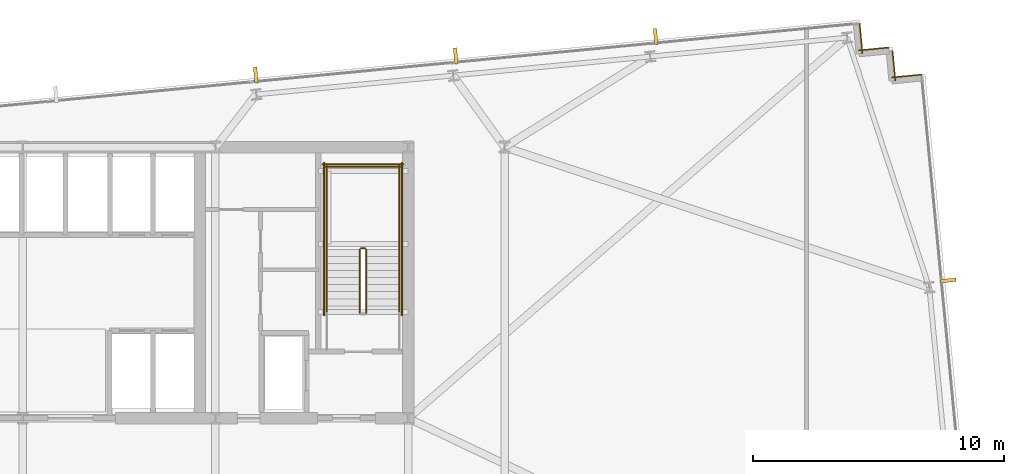
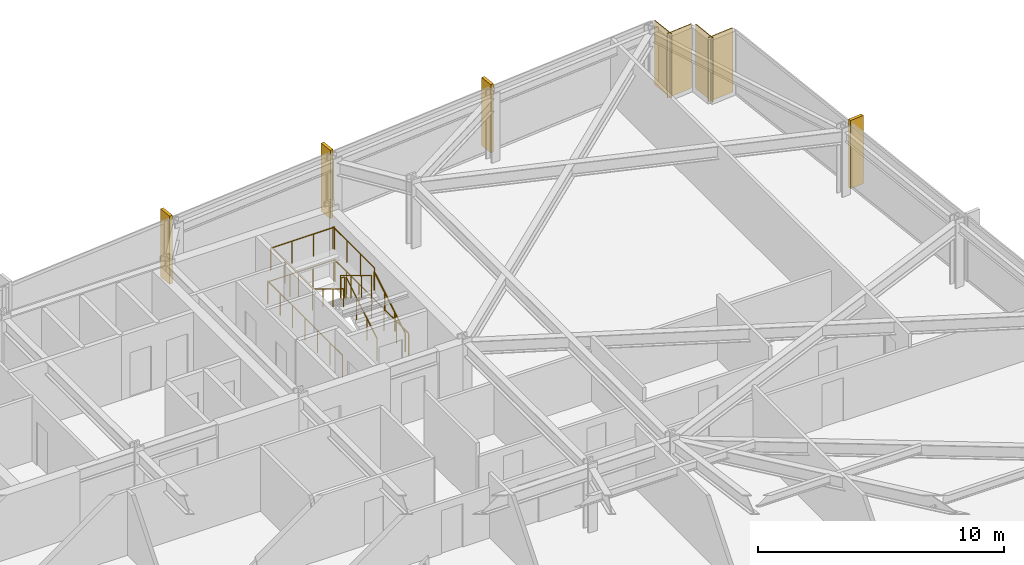
# One storey, part 33 of 33: 11 railings, 4 coverings, 4 shading devices.
"""IFC4 building model written with IfcOpenShell, lengths in metres."""

from ifc_helpers import new_model, si_unit, direction, frame, frame_2d, origin, origin_2d, place, context, subcontext, project, spatial, rectangle, circle, extrude, material, layer, layer_set, type_object, element, save


model = new_model("IFC4")

# Units and contexts
model_context = context("Model", 3, precision=1e-05, world=origin(), true_north=direction((0.0, 1.0)))
body_context = subcontext(model_context, "Body", "Model", "MODEL_VIEW")
ifc_project = project(units=[si_unit("LENGTHUNIT", "METRE"), si_unit("AREAUNIT", "SQUARE_METRE"), si_unit("VOLUMEUNIT", "CUBIC_METRE"), si_unit("PLANEANGLEUNIT", "RADIAN"), si_unit("MASSUNIT", "GRAM", prefix="KILO")], contexts=[model_context])

# Site, building, storey
site_placement = place(None, origin())
site = spatial("IfcSite", under=ifc_project, at=site_placement, CompositionType="ELEMENT")
building_placement = place(site_placement, origin())
building = spatial("IfcBuilding", under=site, at=building_placement, Name="Yelkora Congress Tower", CompositionType="ELEMENT")
storey_placement = place(building_placement, frame((0.0, 0.0, 106.699951171875)))
storey = spatial("IfcBuildingStorey", under=building, at=storey_placement, Name="L28", CompositionType="ELEMENT", Elevation=106.699951171875)

# Coverings
ifc_material_1 = material(Name="Anatolian bush-hammered limestone", Category="masonry")
ifc_layer_1 = layer(ifc_material_1, 0.0400390625)
ifc_layer_set_1 = layer_set([ifc_layer_1], Name="Anatolian bush-hammered limestone")
covering_type = type_object("IfcCoveringType", Name="COV-CLAD-SPANDREL-40", PredefinedType="CLADDING", material=ifc_layer_set_1)
for number, where, z_axis, x_axis, name in (
    (1, (71.74609375, 51.1279296875, 0.0), (0.0, 0.0, 1.0), (0.095817067274, -0.995398960025, 0.0), "L28 Anatolian Limestone Cladding EW-L28-SR11"),
    (2, (71.7138671875, 50.0546875, 0.0), (0.0, 0.0, 1.0), (0.995379537303, 0.096018626938, 0.0), "L28 Anatolian Limestone Cladding EW-L28-SR12"),
):
    element("IfcCovering", number, at=place(storey_placement, frame(where, z_axis=z_axis, x_axis=x_axis)), inside=storey, type_object=covering_type, Name=name, PredefinedType="CLADDING", context=body_context, shape_type="SweptSolid", body=[
        extrude(rectangle(XDim=1.2001953125, YDim=0.0400390625, at=frame_2d((0.60009765625, 0.0))), origin(), (0.0, 0.0, 1.0), 3.179931640625),
    ])
covering_1_placement = place(storey_placement, frame((73.0556640625, 50.04833984375, 0.0), z_axis=(0.0, 0.0, 1.0), x_axis=(0.095836473879, -0.995397091755, 0.0)))
element("IfcCovering", 3, at=covering_1_placement, inside=storey, type_object=covering_type, Name="L28 Anatolian Limestone Cladding EW-L28-SR13", PredefinedType="CLADDING", context=body_context, shape_type="SweptSolid", body=[
    extrude(rectangle(XDim=1.199951171875, YDim=0.0400390625, at=frame_2d((0.60009765625, 0.0))), origin(), (0.0, 0.0, 1.0), 3.179931640625),
])
covering_2_placement = place(storey_placement, frame((73.0234375, 48.975341796875, 0.0), z_axis=(0.0, 0.0, 1.0), x_axis=(0.995398960025, 0.095817067274, 0.0)))
element("IfcCovering", 4, at=covering_2_placement, inside=storey, type_object=covering_type, Name="L28 Anatolian Limestone Cladding EW-L28-SR14", PredefinedType="CLADDING", context=body_context, shape_type="SweptSolid", body=[
    extrude(rectangle(XDim=1.2001953125, YDim=0.0400390625, at=frame_2d((0.60009765625, 0.0))), origin(), (0.0, 0.0, 1.0), 3.179931640625),
])

# Railings
ifc_material_2 = material(Name="Painted galvanised steel stair well guard with vertical infill", Category="steel")
ifc_layer_2 = layer(ifc_material_2, 0.06005859375)
ifc_layer_set_2 = layer_set([ifc_layer_2], Name="Painted galvanised steel stair well guard with vertical infill")
railing_type_1 = type_object("IfcRailingType", Name="RAIL-STAIR-GUARD-1120", PredefinedType="GUARDRAIL", material=ifc_layer_set_2)
railing_1_placement = place(storey_placement, frame((52.090087890625, 39.60009765625, 0.170166015625)))
element("IfcRailing", 5, at=railing_1_placement, inside=storey, type_object=railing_type_1, Name="ST-02 L28 Stair Well Guardrail 1", PredefinedType="GUARDRAIL", context=body_context, shape_type="SweptSolid", body=[
    extrude(circle(Radius=0.02392578125, at=origin_2d()), frame((0.0, 0.0, 1.09619140625), z_axis=(0.0, 0.854821627497, 0.518921945155), x_axis=(-1.0, 0.0, 0.0)), (0.0, 0.0, 1.0), 2.947998046875),
    extrude(circle(Radius=0.02099609375, at=origin_2d()), origin(), (0.0, 0.0, 1.0), 1.072021484375),
    extrude(circle(Radius=0.02099609375, at=origin_2d()), frame((0.0, 0.840087890625, 0.510009765625)), (0.0, 0.0, 1.0), 1.072021484375),
    extrude(circle(Radius=0.02099609375, at=origin_2d()), frame((0.0, 1.679931640625, 1.019775390625)), (0.0, 0.0, 1.0), 1.072021484375),
    extrude(circle(Radius=0.02099609375, at=origin_2d()), frame((0.0, 2.52001953125, 1.52978515625)), (0.0, 0.0, 1.0), 1.072021484375),
])
railing_2_placement = place(storey_placement, frame((52.0400390625, 42.169921875, 1.699951171875)))
element("IfcRailing", 6, at=railing_2_placement, inside=storey, type_object=railing_type_1, Name="ST-02 L28 Stair Well Guardrail 2", PredefinedType="GUARDRAIL", context=body_context, shape_type="SweptSolid", body=[
    extrude(circle(Radius=0.02392578125, at=origin_2d()), frame((0.0, 0.0, 1.09619140625), z_axis=(-1.0, 0.0, 0.0), x_axis=(0.0, -1.0, 0.0)), (0.0, 0.0, 1.0), 0.16015625),
    extrude(circle(Radius=0.02099609375, at=origin_2d()), origin(), (0.0, 0.0, 1.0), 1.072021484375),
    extrude(circle(Radius=0.02099609375, at=origin_2d()), frame((-0.16015625, 0.0, 0.0)), (0.0, 0.0, 1.0), 1.072021484375),
])
for number, where, name in (
    (7, (53.409912109375, 42.1201171875, 1.699951171875), "ST-02 L28 Stair Well Guardrail 3"),
    (8, (50.510009765625, 42.1201171875, 1.699951171875), "ST-02 L28 Stair Well Guardrail 4"),
):
    element("IfcRailing", number, at=place(storey_placement, frame(where)), inside=storey, type_object=railing_type_1, Name=name, PredefinedType="GUARDRAIL", context=body_context, shape_type="SweptSolid", body=[
        extrude(circle(Radius=0.02392578125, at=origin_2d()), frame((0.0, 0.0, 1.09619140625), z_axis=(0.0, 1.0, 0.0), x_axis=(-1.0, 0.0, 0.0)), (0.0, 0.0, 1.0), 3.349853515625),
        extrude(circle(Radius=0.02099609375, at=origin_2d()), origin(), (0.0, 0.0, 1.0), 1.072021484375),
        extrude(circle(Radius=0.02099609375, at=origin_2d()), frame((0.0, 1.11669921875, 0.0)), (0.0, 0.0, 1.0), 1.072021484375),
        extrude(circle(Radius=0.02099609375, at=origin_2d()), frame((0.0, 2.233154296875, 0.0)), (0.0, 0.0, 1.0), 1.072021484375),
        extrude(circle(Radius=0.02099609375, at=origin_2d()), frame((0.0, 3.349853515625, 0.0)), (0.0, 0.0, 1.0), 1.072021484375),
    ])
railing_3_placement = place(storey_placement, frame((53.4599609375, 45.419921875, 1.699951171875)))
element("IfcRailing", 9, at=railing_3_placement, inside=storey, type_object=railing_type_1, Name="ST-02 L28 Stair Well Guardrail 5", PredefinedType="GUARDRAIL", context=body_context, shape_type="SweptSolid", body=[
    extrude(circle(Radius=0.02392578125, at=origin_2d()), frame((0.0, 0.0, 1.09619140625), z_axis=(-1.0, 0.0, 0.0), x_axis=(0.0, -1.0, 0.0)), (0.0, 0.0, 1.0), 3.0),
    extrude(circle(Radius=0.02099609375, at=origin_2d()), origin(), (0.0, 0.0, 1.0), 1.072021484375),
    extrude(circle(Radius=0.02099609375, at=origin_2d()), frame((-1.0, 0.0, 0.0)), (0.0, 0.0, 1.0), 1.072021484375),
    extrude(circle(Radius=0.02099609375, at=origin_2d()), frame((-2.0, 0.0, 0.0)), (0.0, 0.0, 1.0), 1.072021484375),
    extrude(circle(Radius=0.02099609375, at=origin_2d()), frame((-3.0, 0.0, 0.0)), (0.0, 0.0, 1.0), 1.072021484375),
])
railing_4_placement = place(storey_placement, frame((51.830078125, 42.1201171875, 1.8701171875)))
element("IfcRailing", 10, at=railing_4_placement, inside=storey, type_object=railing_type_1, Name="ST-02 L28 Stair Well Guardrail 6", PredefinedType="GUARDRAIL", context=body_context, shape_type="SweptSolid", body=[
    extrude(circle(Radius=0.02392578125, at=origin_2d()), frame((0.0, 0.0, 1.09619140625), z_axis=(0.0, -0.85478489116, 0.518982456201), x_axis=(1.0, 0.0, 0.0)), (0.0, 0.0, 1.0), 2.9482421875),
    extrude(circle(Radius=0.02099609375, at=origin_2d()), origin(), (0.0, 0.0, 1.0), 1.072021484375),
    extrude(circle(Radius=0.02099609375, at=origin_2d()), frame((0.0, -0.840087890625, 0.510009765625)), (0.0, 0.0, 1.0), 1.072021484375),
    extrude(circle(Radius=0.02099609375, at=origin_2d()), frame((0.0, -1.679931640625, 1.02001953125)), (0.0, 0.0, 1.0), 1.072021484375),
    extrude(circle(Radius=0.02099609375, at=origin_2d()), frame((0.0, -2.52001953125, 1.530029296875)), (0.0, 0.0, 1.0), 1.072021484375),
])
for number, where, name in (
    (11, (53.510009765625, 39.5, 0.0), "ST-02 L28 Stair Well Guardrail 10"),
    (12, (50.409912109375, 39.5, 0.0), "ST-02 L28 Stair Well Guardrail 11"),
):
    element("IfcRailing", number, at=place(storey_placement, frame(where)), inside=storey, type_object=railing_type_1, Name=name, PredefinedType="GUARDRAIL", context=body_context, shape_type="SweptSolid", body=[
        extrude(circle(Radius=0.02392578125, at=origin_2d()), frame((0.0, 0.0, 1.09619140625), z_axis=(0.0, 1.0, 0.0), x_axis=(-1.0, 0.0, 0.0)), (0.0, 0.0, 1.0), 6.070068359375),
        extrude(circle(Radius=0.02099609375, at=origin_2d()), origin(), (0.0, 0.0, 1.0), 1.072021484375),
        extrude(circle(Radius=0.02099609375, at=origin_2d()), frame((0.0, 1.01171875, 0.0)), (0.0, 0.0, 1.0), 1.072021484375),
        extrude(circle(Radius=0.02099609375, at=origin_2d()), frame((0.0, 2.0234375, 0.0)), (0.0, 0.0, 1.0), 1.072021484375),
        extrude(circle(Radius=0.02099609375, at=origin_2d()), frame((0.0, 3.03515625, 0.0)), (0.0, 0.0, 1.0), 1.072021484375),
        extrude(circle(Radius=0.02099609375, at=origin_2d()), frame((0.0, 4.046630859375, 0.0)), (0.0, 0.0, 1.0), 1.072021484375),
        extrude(circle(Radius=0.02099609375, at=origin_2d()), frame((0.0, 5.058349609375, 0.0)), (0.0, 0.0, 1.0), 1.072021484375),
        extrude(circle(Radius=0.02099609375, at=origin_2d()), frame((0.0, 6.070068359375, 0.0)), (0.0, 0.0, 1.0), 1.072021484375),
    ])
railing_5_placement = place(storey_placement, frame((53.56005859375, 45.52001953125, 0.0)))
element("IfcRailing", 13, at=railing_5_placement, inside=storey, type_object=railing_type_1, Name="ST-02 L28 Stair Well Guardrail 12", PredefinedType="GUARDRAIL", context=body_context, shape_type="SweptSolid", body=[
    extrude(circle(Radius=0.02392578125, at=origin_2d()), frame((0.0, 0.0, 1.09619140625), z_axis=(-1.0, 0.0, 0.0), x_axis=(0.0, -1.0, 0.0)), (0.0, 0.0, 1.0), 3.199951171875),
    extrude(circle(Radius=0.02099609375, at=origin_2d()), origin(), (0.0, 0.0, 1.0), 1.072021484375),
    extrude(circle(Radius=0.02099609375, at=origin_2d()), frame((-1.066650390625, 0.0, 0.0)), (0.0, 0.0, 1.0), 1.072021484375),
    extrude(circle(Radius=0.02099609375, at=origin_2d()), frame((-2.13330078125, 0.0, 0.0)), (0.0, 0.0, 1.0), 1.072021484375),
    extrude(circle(Radius=0.02099609375, at=origin_2d()), frame((-3.199951171875, 0.0, 0.0)), (0.0, 0.0, 1.0), 1.072021484375),
])
ifc_material_3 = material(Name="Brushed stainless steel tubular handrail", Category="steel")
ifc_layer_3 = layer(ifc_material_3, 0.050048828125)
ifc_layer_set_3 = layer_set([ifc_layer_3], Name="Brushed stainless steel tubular handrail")
railing_type_2 = type_object("IfcRailingType", Name="RAIL-STAIR-HAND-920", PredefinedType="HANDRAIL", material=ifc_layer_set_3)
railing_6_placement = place(storey_placement, frame((53.409912109375, 39.60009765625, 0.170166015625)))
element("IfcRailing", 14, at=railing_6_placement, inside=storey, type_object=railing_type_2, Name="ST-02 L28 Pitch Handrail 1", PredefinedType="HANDRAIL", context=body_context, shape_type="SweptSolid", body=[
    extrude(circle(Radius=0.02392578125, at=origin_2d()), frame((0.0, 0.0, 0.89599609375), z_axis=(0.0, 0.854821627497, 0.518921945155), x_axis=(-1.0, 0.0, 0.0)), (0.0, 0.0, 1.0), 2.947998046875),
    extrude(circle(Radius=0.02099609375, at=origin_2d()), origin(), (0.0, 0.0, 1.0), 0.871826171875),
    extrude(circle(Radius=0.02099609375, at=origin_2d()), frame((0.0, 0.840087890625, 0.510009765625)), (0.0, 0.0, 1.0), 0.871826171875),
    extrude(circle(Radius=0.02099609375, at=origin_2d()), frame((0.0, 1.679931640625, 1.019775390625)), (0.0, 0.0, 1.0), 0.871826171875),
    extrude(circle(Radius=0.02099609375, at=origin_2d()), frame((0.0, 2.52001953125, 1.52978515625)), (0.0, 0.0, 1.0), 0.871826171875),
])
railing_7_placement = place(storey_placement, frame((50.510009765625, 42.1201171875, 1.8701171875)))
element("IfcRailing", 15, at=railing_7_placement, inside=storey, type_object=railing_type_2, Name="ST-02 L28 Pitch Handrail 2", PredefinedType="HANDRAIL", context=body_context, shape_type="SweptSolid", body=[
    extrude(circle(Radius=0.02392578125, at=origin_2d()), frame((0.0, 0.0, 0.89599609375), z_axis=(0.0, -0.85478489116, 0.518982456201), x_axis=(1.0, 0.0, 0.0)), (0.0, 0.0, 1.0), 2.9482421875),
    extrude(circle(Radius=0.02099609375, at=origin_2d()), origin(), (0.0, 0.0, 1.0), 0.871826171875),
    extrude(circle(Radius=0.02099609375, at=origin_2d()), frame((0.0, -0.840087890625, 0.510009765625)), (0.0, 0.0, 1.0), 0.871826171875),
    extrude(circle(Radius=0.02099609375, at=origin_2d()), frame((0.0, -1.679931640625, 1.02001953125)), (0.0, 0.0, 1.0), 0.871826171875),
    extrude(circle(Radius=0.02099609375, at=origin_2d()), frame((0.0, -2.52001953125, 1.530029296875)), (0.0, 0.0, 1.0), 0.871826171875),
])

# Shading devices
ifc_material_4 = material(Name="Champagne anodised aluminium", Category="aluminium")
ifc_layer_4 = layer(ifc_material_4, 3.39990234375)
ifc_layer_set_4 = layer_set([ifc_layer_4], Name="Champagne anodised aluminium")
shading_device_type = type_object("IfcShadingDeviceType", Name="SHD-FIN-ALU-640", PredefinedType="USERDEFINED", material=ifc_layer_set_4)
for number, where, z_axis, x_axis, name in (
    (16, (47.68896484375, 49.072509765625, -0.02978515625), (0.0, 0.0, 1.0), (0.995396198367, 0.09584575252, 0.0), "L28 Vertical Anodised Solar Fin 10-4"),
    (17, (55.65478515625, 49.839599609375, -0.02978515625), (0.0, 0.0, 1.0), (0.995396198367, 0.09584575252, 0.0), "L28 Vertical Anodised Solar Fin 10-5"),
    (18, (63.620849609375, 50.606689453125, -0.02978515625), (0.0, 0.0, 1.0), (0.995396198367, 0.09584575252, 0.0), "L28 Vertical Anodised Solar Fin 10-6"),
    (19, (75.268798828125, 40.888427734375, -0.02978515625), (0.0, 0.0, 1.0), (0.09584575252, -0.995396198367, 0.0), "L28 Vertical Anodised Solar Fin 15-1"),
):
    element("IfcShadingDevice", number, at=place(storey_placement, frame(where, z_axis=z_axis, x_axis=x_axis)), inside=storey, type_object=shading_device_type, Name=name, ObjectType="FIN", PredefinedType="USERDEFINED", context=body_context, shape_type="SweptSolid", body=[
        extrude(rectangle(XDim=0.139892578125, YDim=0.639892578125, at=origin_2d()), origin(), (0.0, 0.0, 1.0), 3.3798828125),
    ])

save(model, "model.ifc")
